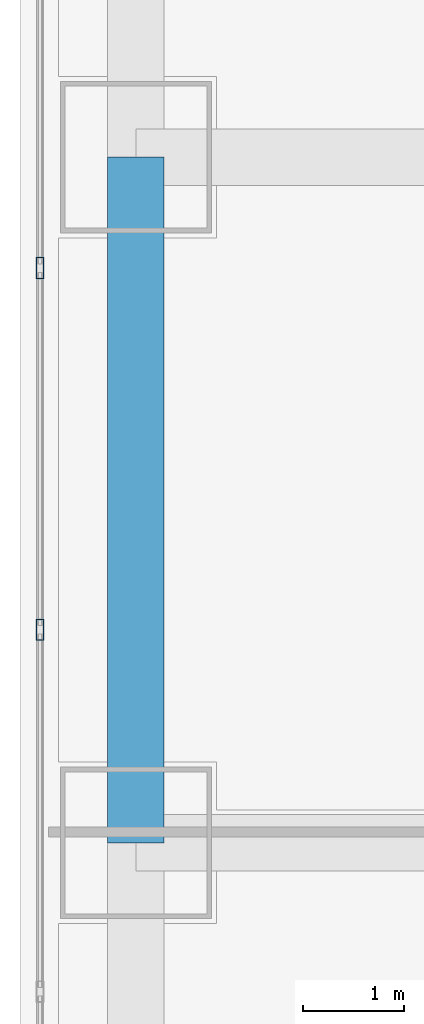
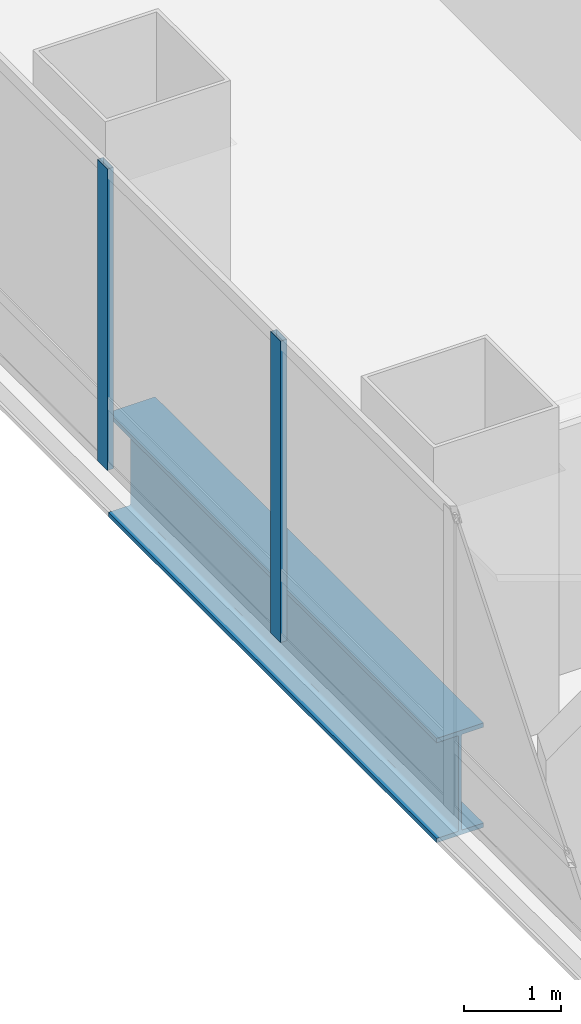
# One storey, part 7 of 37: 2 members, 1 beam, 1 element without a shape of its own.
"""IFC4 building model written with IfcOpenShell, lengths in metres."""

from ifc_helpers import new_model, si_unit, direction, frame, origin, origin_2d, place, context, subcontext, project, spatial, hollow_rectangle, i_section, extrude, material, material_profile, profile_set, type_object, element, aggregate, save


model = new_model("IFC4")

# Units and contexts
model_context = context("Model", 3, precision=1e-05, world=origin(), true_north=direction((0.0, 1.0)))
body_context = subcontext(model_context, "Body", "Model", "MODEL_VIEW")
ifc_project = project(units=[si_unit("LENGTHUNIT", "METRE"), si_unit("AREAUNIT", "SQUARE_METRE"), si_unit("VOLUMEUNIT", "CUBIC_METRE"), si_unit("PLANEANGLEUNIT", "RADIAN"), si_unit("MASSUNIT", "GRAM", prefix="KILO")], contexts=[model_context])

# Site, building, storey
site_placement = place(None, origin())
site = spatial("IfcSite", under=ifc_project, at=site_placement, CompositionType="ELEMENT")
building_placement = place(site_placement, origin())
building = spatial("IfcBuilding", under=site, at=building_placement, Name="Punatoya Terracotta Tower", CompositionType="ELEMENT")
storey_placement = place(building_placement, frame((0.0, 0.0, 109.199951171875)))
storey = spatial("IfcBuildingStorey", under=building, at=storey_placement, Name="L25", CompositionType="ELEMENT", Elevation=109.199951171875)

# Beam
ifc_material_1 = material(Name="Steel S460", Category="steel")
ifc_material_profile_1 = material_profile(ifc_material_1, i_section(OverallWidth=0.56005859375, OverallDepth=1.320068359375, WebThickness=0.035888671875, FlangeThickness=0.054931640625, FilletRadius=0.01806640625, at=origin_2d()))
ifc_profile_set_1 = profile_set([ifc_material_profile_1], Name="Steel S460")
beam_type = type_object("IfcBeamType", Name="BM-TG-BLK", PredefinedType="BEAM", material=ifc_profile_set_1)
beam_placement = place(storey_placement, frame((-19.10009765625, -3.39990234375, -0.89990234375), z_axis=(0.0, 1.0, 0.0), x_axis=(-1.0, 0.0, 0.0)))
element("IfcBeam", 1, at=beam_placement, inside=storey, type_object=beam_type, Name="BM-L25-RG-W2", PredefinedType="BEAM", context=body_context, shape_type="SweptSolid", body=[
    extrude(i_section(OverallWidth=0.56005859375, OverallDepth=1.320068359375, WebThickness=0.035888671875, FlangeThickness=0.054931640625, FilletRadius=0.01806640625, at=origin_2d()), origin(), (0.0, 0.0, 1.0), 6.7998046875),
])

# Curtain wall, members
ifc_material_2 = material(Name="Aluminium 6063-T6 + Double Low-E Glass", Category="aluminium")
curtain_wall_type = type_object("IfcCurtainWallType", Name="CW-M1", PredefinedType="NOTDEFINED", material=ifc_material_2)
curtain_wall_placement = place(storey_placement, origin())
curtain_wall = element("IfcCurtainWall", 2, at=curtain_wall_placement, inside=storey, type_object=curtain_wall_type, Name="L25 Curtain Wall CW-L25-W12-1", PredefinedType="NOTDEFINED")
ifc_material_3 = material(Name="Aluminium 6063-T6", Category="aluminium")
ifc_material_profile_2 = material_profile(ifc_material_3, hollow_rectangle(XDim=0.074951171875, YDim=0.2099609375, WallThickness=0.00439453125, at=origin_2d()))
ifc_profile_set_2 = profile_set([ifc_material_profile_2], Name="Aluminium 6063-T6")
member_type = type_object("IfcMemberType", Name="CW-MUL-M1", PredefinedType="MULLION", material=ifc_profile_set_2)
member_1_placement = place(storey_placement, frame((-20.050048828125, 2.2998046875, 0.0), z_axis=(0.0, 0.0, 1.0), x_axis=(1.0, 0.0, 0.0)))
member_1 = element("IfcMember", 3, at=member_1_placement, type_object=member_type, Name="CW-L25-W12-1 Mullion 05", PredefinedType="MULLION", context=body_context, shape_type="SweptSolid", body=[
    extrude(hollow_rectangle(XDim=0.074951171875, YDim=0.2099609375, WallThickness=0.00439453125, at=origin_2d()), origin(), (0.0, 0.0, 1.0), 3.81005859375),
])
member_2_placement = place(storey_placement, frame((-20.050048828125, -1.28759765625, 0.0), z_axis=(0.0, 0.0, 1.0), x_axis=(1.0, 0.0, 0.0)))
member_2 = element("IfcMember", 4, at=member_2_placement, type_object=member_type, Name="CW-L25-W12-1 Mullion 06", PredefinedType="MULLION", context=body_context, shape_type="SweptSolid", body=[
    extrude(hollow_rectangle(XDim=0.074951171875, YDim=0.2099609375, WallThickness=0.00439453125, at=origin_2d()), origin(), (0.0, 0.0, 1.0), 3.81005859375),
])
aggregate(curtain_wall, [member_1, member_2])

save(model, "model.ifc")
